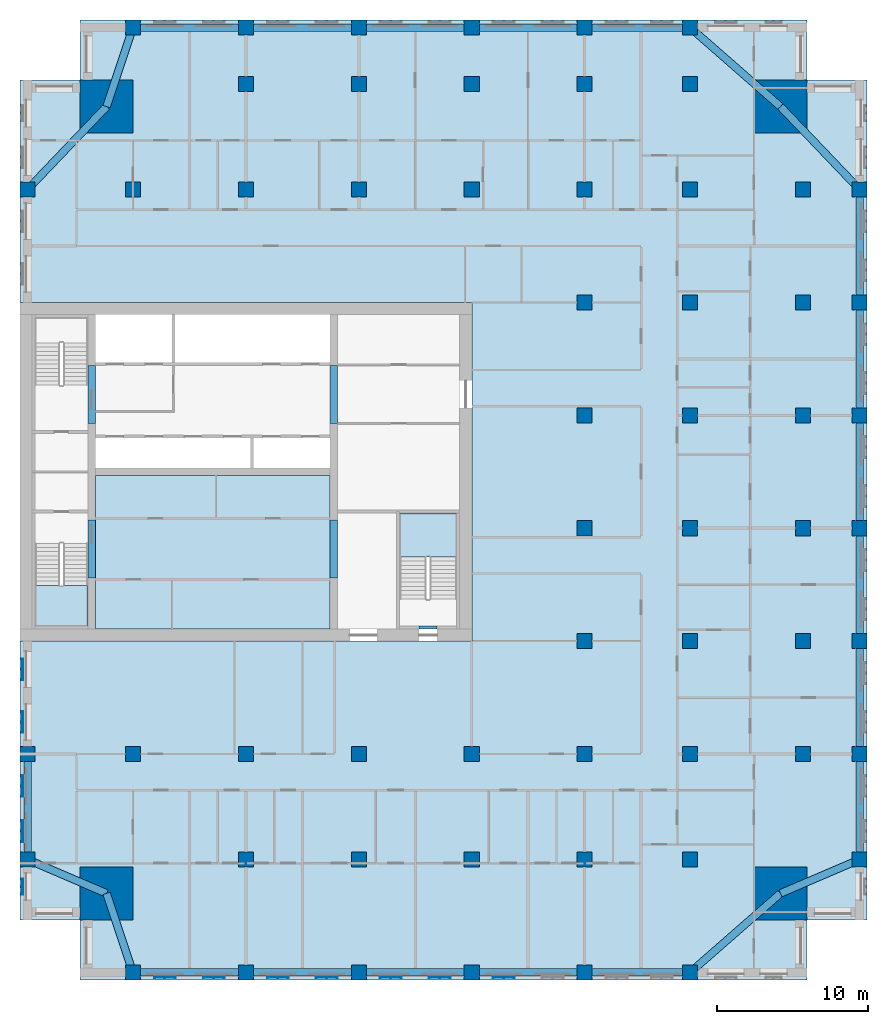
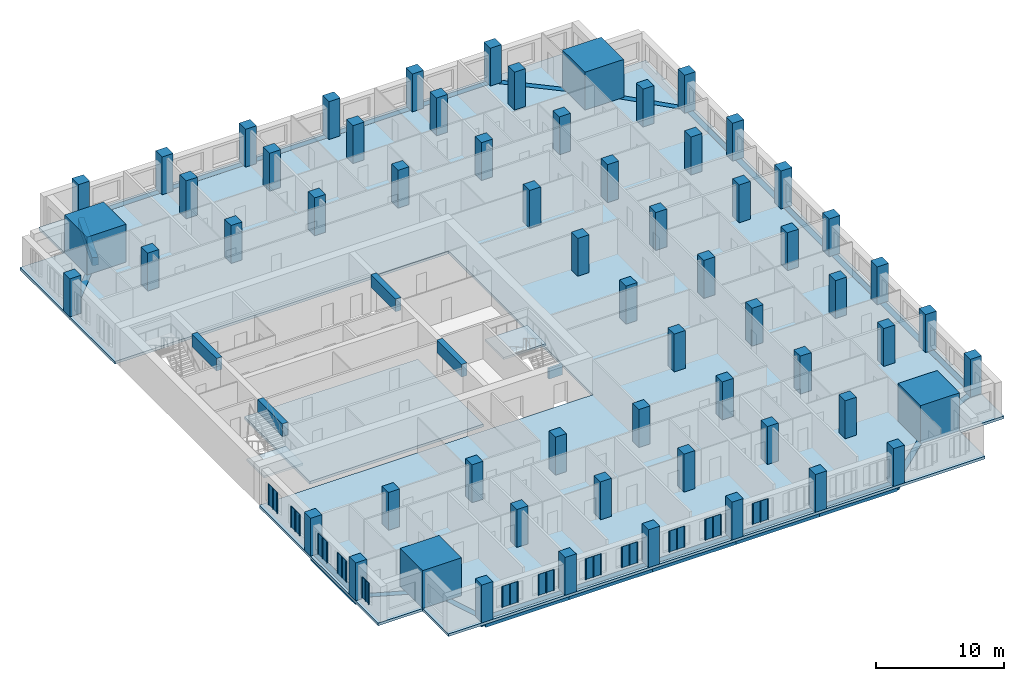
# One storey, part 1 of 14: 62 columns, 30 beams, 12 plates, 4 slabs, 2 elements without a shape of their own.
"""IFC4 building model written with IfcOpenShell, lengths in metres."""

from ifc_helpers import new_model, si_unit, direction, frame, origin, origin_2d, place, context, subcontext, project, spatial, polyline, rectangle, outline, extrude, material, layer, layer_set, material_profile, profile_set, type_object, element, aggregate, save


model = new_model("IFC4")

# Units and contexts
model_context = context("Model", 3, precision=1e-05, world=origin(), true_north=direction((0.0, 1.0)))
body_context = subcontext(model_context, "Body", "Model", "MODEL_VIEW")
ifc_project = project(units=[si_unit("LENGTHUNIT", "METRE"), si_unit("AREAUNIT", "SQUARE_METRE"), si_unit("VOLUMEUNIT", "CUBIC_METRE"), si_unit("PLANEANGLEUNIT", "RADIAN"), si_unit("MASSUNIT", "GRAM", prefix="KILO")], contexts=[model_context])

# Site, building, storey
site_placement = place(None, origin())
site = spatial("IfcSite", under=ifc_project, at=site_placement, CompositionType="ELEMENT")
building_placement = place(site_placement, origin())
building = spatial("IfcBuilding", under=site, at=building_placement, Name="Tamorin Gate", CompositionType="ELEMENT")
storey_placement = place(building_placement, frame((0.0, 0.0, 155.39990234375)))
storey = spatial("IfcBuildingStorey", under=building, at=storey_placement, Name="L38", CompositionType="ELEMENT", Elevation=155.39990234375)

# Columns
ifc_material_1 = material(Name="Concrete C70/85", Category="concrete")
ifc_material_profile_1 = material_profile(ifc_material_1, rectangle(XDim=1.0, YDim=1.0, at=origin_2d()), Name="RC 1000x1000")
ifc_profile_set_1 = profile_set([ifc_material_profile_1], Name="Concrete C70/85")
column_type_1 = type_object("IfcColumnType", Name="RC column 1000x1000 C70/85", PredefinedType="COLUMN", material=ifc_profile_set_1)
for number, where, z_axis, x_axis, name in (
    (1, (85.75, 45.5, 0.0), (0.0, 0.0, 1.0), (1.0, 0.0, 0.0), "Ring column L38"),
    (2, (85.75, 52.5, 0.0), (0.0, 0.0, 1.0), (1.0, 0.0, 0.0), "Ring column L38"),
    (3, (85.75, 60.0, 0.0), (0.0, 0.0, 1.0), (1.0, 0.0, 0.0), "Ring column L38"),
    (4, (85.75, 67.5, 0.0), (0.0, 0.0, 1.0), (1.0, 0.0, 0.0), "Ring column L38"),
    (5, (85.75, 75.0, 0.0), (0.0, 0.0, 1.0), (1.0, 0.0, 0.0), "Ring column L38"),
    (6, (85.75, 82.5, 0.0), (0.0, 0.0, 1.0), (1.0, 0.0, 0.0), "Ring column L38"),
    (7, (85.75, 90.0, 0.0), (0.0, 0.0, 1.0), (1.0, 0.0, 0.0), "Ring column L38"),
    (8, (37.5, 100.75, 0.0), (0.0, 0.0, 1.0), (1.0, 0.0, 0.0), "Ring column L38"),
    (9, (45.0, 100.75, 0.0), (0.0, 0.0, 1.0), (1.0, 0.0, 0.0), "Ring column L38"),
    (10, (52.5, 100.75, 0.0), (0.0, 0.0, 1.0), (1.0, 0.0, 0.0), "Ring column L38"),
    (11, (60.0, 100.75, 0.0), (0.0, 0.0, 1.0), (1.0, 0.0, 0.0), "Ring column L38"),
    (12, (67.5, 100.75, 0.0), (0.0, 0.0, 1.0), (1.0, 0.0, 0.0), "Ring column L38"),
    (13, (74.5, 100.75, 0.0), (0.0, 0.0, 1.0), (1.0, 0.0, 0.0), "Ring column L38"),
    (14, (30.5, 45.5, 0.0), (0.0, 0.0, 1.0), (1.0, 0.0, 0.0), "Ring column L38"),
    (15, (30.5, 52.5, 0.0), (0.0, 0.0, 1.0), (1.0, 0.0, 0.0), "Ring column L38"),
    (16, (30.5, 90.0, 0.0), (0.0, 0.0, 1.0), (1.0, 0.0, 0.0), "Ring column L38"),
    (17, (37.5, 38.0, 0.0), (0.0, 0.0, 1.0), (1.0, 0.0, 0.0), "Ring column L38"),
    (18, (37.5, 52.5, 0.0), (0.0, 0.0, 1.0), (1.0, 0.0, 0.0), "Interior column L38"),
    (19, (37.5, 90.0, 0.0), (0.0, 0.0, 1.0), (1.0, 0.0, 0.0), "Interior column L38"),
    (20, (45.0, 38.0, 0.0), (0.0, 0.0, 1.0), (1.0, 0.0, 0.0), "Ring column L38"),
    (21, (45.0, 45.5, 0.0), (0.0, 0.0, 1.0), (1.0, 0.0, 0.0), "Interior column L38"),
    (22, (45.0, 52.5, 0.0), (0.0, 0.0, 1.0), (1.0, 0.0, 0.0), "Interior column L38"),
    (23, (45.0, 90.0, 0.0), (0.0, 0.0, 1.0), (1.0, 0.0, 0.0), "Interior column L38"),
    (24, (45.0, 97.0, 0.0), (0.0, 0.0, 1.0), (1.0, 0.0, 0.0), "Interior column L38"),
    (25, (52.5, 38.0, 0.0), (0.0, 0.0, 1.0), (1.0, 0.0, 0.0), "Ring column L38"),
    (26, (52.5, 45.5, 0.0), (0.0, 0.0, 1.0), (1.0, 0.0, 0.0), "Interior column L38"),
    (27, (52.5, 52.5, 0.0), (0.0, 0.0, 1.0), (1.0, 0.0, 0.0), "Interior column L38"),
    (28, (52.5, 90.0, 0.0), (0.0, 0.0, 1.0), (1.0, 0.0, 0.0), "Interior column L38"),
    (29, (52.5, 97.0, 0.0), (0.0, 0.0, 1.0), (1.0, 0.0, 0.0), "Interior column L38"),
    (30, (60.0, 38.0, 0.0), (0.0, 0.0, 1.0), (1.0, 0.0, 0.0), "Ring column L38"),
    (31, (60.0, 45.5, 0.0), (0.0, 0.0, 1.0), (1.0, 0.0, 0.0), "Interior column L38"),
    (32, (60.0, 52.5, 0.0), (0.0, 0.0, 1.0), (1.0, 0.0, 0.0), "Interior column L38"),
    (33, (60.0, 90.0, 0.0), (0.0, 0.0, 1.0), (1.0, 0.0, 0.0), "Interior column L38"),
    (34, (60.0, 97.0, 0.0), (0.0, 0.0, 1.0), (1.0, 0.0, 0.0), "Interior column L38"),
    (35, (67.5, 38.0, 0.0), (0.0, 0.0, 1.0), (1.0, 0.0, 0.0), "Ring column L38"),
    (36, (67.5, 45.5, 0.0), (0.0, 0.0, 1.0), (1.0, 0.0, 0.0), "Interior column L38"),
    (37, (67.5, 52.5, 0.0), (0.0, 0.0, 1.0), (1.0, 0.0, 0.0), "Interior column L38"),
    (38, (67.5, 60.0, 0.0), (0.0, 0.0, 1.0), (1.0, 0.0, 0.0), "Interior column L38"),
    (39, (67.5, 67.5, 0.0), (0.0, 0.0, 1.0), (1.0, 0.0, 0.0), "Interior column L38"),
    (40, (67.5, 75.0, 0.0), (0.0, 0.0, 1.0), (1.0, 0.0, 0.0), "Interior column L38"),
    (41, (67.5, 82.5, 0.0), (0.0, 0.0, 1.0), (1.0, 0.0, 0.0), "Interior column L38"),
    (42, (67.5, 90.0, 0.0), (0.0, 0.0, 1.0), (1.0, 0.0, 0.0), "Interior column L38"),
    (43, (67.5, 97.0, 0.0), (0.0, 0.0, 1.0), (1.0, 0.0, 0.0), "Interior column L38"),
    (44, (74.5, 38.0, 0.0), (0.0, 0.0, 1.0), (1.0, 0.0, 0.0), "Ring column L38"),
    (45, (74.5, 45.5, 0.0), (0.0, 0.0, 1.0), (1.0, 0.0, 0.0), "Interior column L38"),
    (46, (74.5, 52.5, 0.0), (0.0, 0.0, 1.0), (1.0, 0.0, 0.0), "Interior column L38"),
    (47, (74.5, 60.0, 0.0), (0.0, 0.0, 1.0), (1.0, 0.0, 0.0), "Interior column L38"),
    (48, (74.5, 67.5, 0.0), (0.0, 0.0, 1.0), (1.0, 0.0, 0.0), "Interior column L38"),
    (49, (74.5, 75.0, 0.0), (0.0, 0.0, 1.0), (1.0, 0.0, 0.0), "Interior column L38"),
    (50, (74.5, 82.5, 0.0), (0.0, 0.0, 1.0), (1.0, 0.0, 0.0), "Interior column L38"),
    (51, (74.5, 90.0, 0.0), (0.0, 0.0, 1.0), (1.0, 0.0, 0.0), "Interior column L38"),
    (52, (74.5, 97.0, 0.0), (0.0, 0.0, 1.0), (1.0, 0.0, 0.0), "Interior column L38"),
    (53, (82.0, 52.5, 0.0), (0.0, 0.0, 1.0), (1.0, 0.0, 0.0), "Interior column L38"),
    (54, (82.0, 60.0, 0.0), (0.0, 0.0, 1.0), (1.0, 0.0, 0.0), "Interior column L38"),
    (55, (82.0, 67.5, 0.0), (0.0, 0.0, 1.0), (1.0, 0.0, 0.0), "Interior column L38"),
    (56, (82.0, 75.0, 0.0), (0.0, 0.0, 1.0), (1.0, 0.0, 0.0), "Interior column L38"),
    (57, (82.0, 82.5, 0.0), (0.0, 0.0, 1.0), (1.0, 0.0, 0.0), "Interior column L38"),
    (58, (82.0, 90.0, 0.0), (0.0, 0.0, 1.0), (1.0, 0.0, 0.0), "Interior column L38"),
):
    element("IfcColumn", number, at=place(storey_placement, frame(where, z_axis=z_axis, x_axis=x_axis)), inside=storey, type_object=column_type_1, Name=name, PredefinedType="COLUMN", context=body_context, shape_type="SweptSolid", body=[
        extrude(rectangle(XDim=1.0, YDim=1.0, at=origin_2d()), origin(), (0.0, 0.0, 1.0), 3.60009765625),
    ])
ifc_material_profile_2 = material_profile(ifc_material_1, rectangle(XDim=3.5, YDim=3.5, at=origin_2d()), Name="RC 3500x3500")
ifc_profile_set_2 = profile_set([ifc_material_profile_2], Name="Concrete C70/85")
column_type_2 = type_object("IfcColumnType", Name="RC column 3500x3500 C70/85", PredefinedType="COLUMN", material=ifc_profile_set_2)
for number, where, z_axis, x_axis, name in (
    (59, (35.75, 43.25, 0.0), (0.0, 0.0, 1.0), (1.0, 0.0, 0.0), "Mega column SW L38"),
    (60, (80.5, 43.25, 0.0), (0.0, 0.0, 1.0), (1.0, 0.0, 0.0), "Mega column SE L38"),
    (61, (35.75, 95.5, 0.0), (0.0, 0.0, 1.0), (1.0, 0.0, 0.0), "Mega column NW L38"),
    (62, (80.5, 95.5, 0.0), (0.0, 0.0, 1.0), (1.0, 0.0, 0.0), "Mega column NE L38"),
):
    element("IfcColumn", number, at=place(storey_placement, frame(where, z_axis=z_axis, x_axis=x_axis)), inside=storey, type_object=column_type_2, Name=name, PredefinedType="COLUMN", context=body_context, shape_type="SweptSolid", body=[
        extrude(rectangle(XDim=3.5, YDim=3.5, at=origin_2d()), origin(), (0.0, 0.0, 1.0), 3.60009765625),
    ])

# Beams
ifc_material_2 = material(Name="Concrete C60/75", Category="concrete")
ifc_material_profile_3 = material_profile(ifc_material_2, rectangle(XDim=0.5, YDim=1.199951171875, at=origin_2d()), Name="RC 500x1200")
ifc_profile_set_3 = profile_set([ifc_material_profile_3], Name="Concrete C60/75")
beam_type_1 = type_object("IfcBeamType", Name="RC coupling beam 500x1200 C60/75", PredefinedType="BEAM", material=ifc_profile_set_3)
for number, where, z_axis, x_axis, name in (
    (63, (34.75, 64.199951171875, 3.0), (0.0, 1.0, 0.0), (-1.0, 0.0, 0.0), "Coupling beam L38"),
    (64, (34.75, 74.449951171875, 3.0), (0.0, 1.0, 0.0), (-1.0, 0.0, 0.0), "Coupling beam L38"),
    (65, (50.85009765625, 64.199951171875, 3.0), (0.0, 1.0, 0.0), (-1.0, 0.0, 0.0), "Coupling beam L38"),
    (66, (50.85009765625, 74.449951171875, 3.0), (0.0, 1.0, 0.0), (-1.0, 0.0, 0.0), "Coupling beam L38"),
):
    element("IfcBeam", number, at=place(storey_placement, frame(where, z_axis=z_axis, x_axis=x_axis)), inside=storey, type_object=beam_type_1, Name=name, PredefinedType="BEAM", context=body_context, shape_type="SweptSolid", body=[
        extrude(rectangle(XDim=0.5, YDim=1.199951171875, at=origin_2d()), origin(), (0.0, 0.0, 1.0), 3.85009765625),
    ])
ifc_material_3 = material(Name="Concrete C50/60", Category="concrete")
ifc_material_profile_4 = material_profile(ifc_material_3, rectangle(XDim=0.5, YDim=0.75, at=origin_2d()), Name="RC 500x750")
ifc_profile_set_4 = profile_set([ifc_material_profile_4], Name="Concrete C50/60")
beam_type_2 = type_object("IfcBeamType", Name="RC spandrel 500x750 C50/60", PredefinedType="BEAM", material=ifc_profile_set_4)
for number, where, z_axis, x_axis, name in (
    (67, (37.5, 38.0, -0.375), (1.0, 0.0, 0.0), (0.0, 1.0, 0.0), "Spandrel beam L38"),
    (68, (45.0, 38.0, -0.375), (1.0, 0.0, 0.0), (0.0, 1.0, 0.0), "Spandrel beam L38"),
    (69, (52.5, 38.0, -0.375), (1.0, 0.0, 0.0), (0.0, 1.0, 0.0), "Spandrel beam L38"),
    (70, (60.0, 38.0, -0.375), (1.0, 0.0, 0.0), (0.0, 1.0, 0.0), "Spandrel beam L38"),
):
    element("IfcBeam", number, at=place(storey_placement, frame(where, z_axis=z_axis, x_axis=x_axis)), inside=storey, type_object=beam_type_2, Name=name, PredefinedType="BEAM", context=body_context, shape_type="SweptSolid", body=[
        extrude(rectangle(XDim=0.5, YDim=0.75, at=origin_2d()), origin(), (0.0, 0.0, 1.0), 7.5),
    ])
for number, where, z_axis, x_axis, name in (
    (71, (67.5, 38.0, -0.375), (1.0, 0.0, 0.0), (0.0, 1.0, 0.0), "Spandrel beam L38"),
    (72, (85.75, 45.5, -0.375), (0.0, 1.0, 0.0), (-1.0, 0.0, 0.0), "Spandrel beam L38"),
):
    element("IfcBeam", number, at=place(storey_placement, frame(where, z_axis=z_axis, x_axis=x_axis)), inside=storey, type_object=beam_type_2, Name=name, PredefinedType="BEAM", context=body_context, shape_type="SweptSolid", body=[
        extrude(rectangle(XDim=0.5, YDim=0.75, at=origin_2d()), origin(), (0.0, 0.0, 1.0), 7.0),
    ])
for number, where, z_axis, x_axis, name in (
    (73, (85.75, 52.5, -0.375), (0.0, 1.0, 0.0), (-1.0, 0.0, 0.0), "Spandrel beam L38"),
    (74, (85.75, 60.0, -0.375), (0.0, 1.0, 0.0), (-1.0, 0.0, 0.0), "Spandrel beam L38"),
    (75, (85.75, 67.5, -0.375), (0.0, 1.0, 0.0), (-1.0, 0.0, 0.0), "Spandrel beam L38"),
    (76, (85.75, 75.0, -0.375), (0.0, 1.0, 0.0), (-1.0, 0.0, 0.0), "Spandrel beam L38"),
    (77, (85.75, 82.5, -0.375), (0.0, 1.0, 0.0), (-1.0, 0.0, 0.0), "Spandrel beam L38"),
):
    element("IfcBeam", number, at=place(storey_placement, frame(where, z_axis=z_axis, x_axis=x_axis)), inside=storey, type_object=beam_type_2, Name=name, PredefinedType="BEAM", context=body_context, shape_type="SweptSolid", body=[
        extrude(rectangle(XDim=0.5, YDim=0.75, at=origin_2d()), origin(), (0.0, 0.0, 1.0), 7.5),
    ])
beam_1_placement = place(storey_placement, frame((74.5, 100.75, -0.375), z_axis=(-1.0, 0.0, 0.0), x_axis=(0.0, -1.0, 0.0)))
element("IfcBeam", 78, at=beam_1_placement, inside=storey, type_object=beam_type_2, Name="Spandrel beam L38", PredefinedType="BEAM", context=body_context, shape_type="SweptSolid", body=[
    extrude(rectangle(XDim=0.5, YDim=0.75, at=origin_2d()), origin(), (0.0, 0.0, 1.0), 7.0),
])
for number, where, z_axis, x_axis, name in (
    (79, (67.5, 100.75, -0.375), (-1.0, 0.0, 0.0), (0.0, -1.0, 0.0), "Spandrel beam L38"),
    (80, (60.0, 100.75, -0.375), (-1.0, 0.0, 0.0), (0.0, -1.0, 0.0), "Spandrel beam L38"),
    (81, (52.5, 100.75, -0.375), (-1.0, 0.0, 0.0), (0.0, -1.0, 0.0), "Spandrel beam L38"),
    (82, (45.0, 100.75, -0.375), (-1.0, 0.0, 0.0), (0.0, -1.0, 0.0), "Spandrel beam L38"),
):
    element("IfcBeam", number, at=place(storey_placement, frame(where, z_axis=z_axis, x_axis=x_axis)), inside=storey, type_object=beam_type_2, Name=name, PredefinedType="BEAM", context=body_context, shape_type="SweptSolid", body=[
        extrude(rectangle(XDim=0.5, YDim=0.75, at=origin_2d()), origin(), (0.0, 0.0, 1.0), 7.5),
    ])
beam_2_placement = place(storey_placement, frame((30.5, 52.5, -0.375), z_axis=(0.0, -1.0, 0.0), x_axis=(1.0, 0.0, 0.0)))
element("IfcBeam", 83, at=beam_2_placement, inside=storey, type_object=beam_type_2, Name="Spandrel beam L38", PredefinedType="BEAM", context=body_context, shape_type="SweptSolid", body=[
    extrude(rectangle(XDim=0.5, YDim=0.75, at=origin_2d()), origin(), (0.0, 0.0, 1.0), 7.0),
])
beam_3_placement = place(storey_placement, frame((35.75, 43.25, -0.375), z_axis=(0.316227766017, -0.948683298051, 0.0), x_axis=(0.948683298051, 0.316227766017, 0.0)))
element("IfcBeam", 84, at=beam_3_placement, inside=storey, type_object=beam_type_2, Name="Corner tie beam L38", PredefinedType="BEAM", context=body_context, shape_type="SweptSolid", body=[
    extrude(rectangle(XDim=0.5, YDim=0.75, at=origin_2d()), origin(), (0.0, 0.0, 1.0), 5.533935546875),
])
for number, where, z_axis, x_axis, name in (
    (85, (35.75, 43.25, -0.375), (-0.919145030018, 0.393919298579, 0.0), (-0.393919298579, -0.919145030018, 0.0), "Corner tie beam L38"),
    (86, (80.5, 43.25, -0.375), (0.919145030018, 0.393919298579, 0.0), (-0.393919298579, 0.919145030018, 0.0), "Corner tie beam L38"),
):
    element("IfcBeam", number, at=place(storey_placement, frame(where, z_axis=z_axis, x_axis=x_axis)), inside=storey, type_object=beam_type_2, Name=name, PredefinedType="BEAM", context=body_context, shape_type="SweptSolid", body=[
        extrude(rectangle(XDim=0.5, YDim=0.75, at=origin_2d()), origin(), (0.0, 0.0, 1.0), 5.7119140625),
    ])
beam_4_placement = place(storey_placement, frame((80.5, 43.25, -0.375), z_axis=(-0.752576694707, -0.658504607869, 0.0), x_axis=(0.658504607869, -0.752576694707, 0.0)))
element("IfcBeam", 87, at=beam_4_placement, inside=storey, type_object=beam_type_2, Name="Corner tie beam L38", PredefinedType="BEAM", context=body_context, shape_type="SweptSolid", body=[
    extrude(rectangle(XDim=0.5, YDim=0.75, at=origin_2d()), origin(), (0.0, 0.0, 1.0), 7.97265625),
])
beam_5_placement = place(storey_placement, frame((35.75, 95.5, -0.375), z_axis=(0.316227766017, 0.948683298051, 0.0), x_axis=(-0.948683298051, 0.316227766017, 0.0)))
element("IfcBeam", 88, at=beam_5_placement, inside=storey, type_object=beam_type_2, Name="Corner tie beam L38", PredefinedType="BEAM", context=body_context, shape_type="SweptSolid", body=[
    extrude(rectangle(XDim=0.5, YDim=0.75, at=origin_2d()), origin(), (0.0, 0.0, 1.0), 5.533935546875),
])
for number, where, z_axis, x_axis, name in (
    (89, (35.75, 95.5, -0.375), (-0.690475746683, -0.723355544144, 0.0), (0.723355544144, -0.690475746683, 0.0), "Corner tie beam L38"),
    (90, (80.5, 95.5, -0.375), (0.690475746683, -0.723355544144, 0.0), (0.723355544144, 0.690475746683, 0.0), "Corner tie beam L38"),
):
    element("IfcBeam", number, at=place(storey_placement, frame(where, z_axis=z_axis, x_axis=x_axis)), inside=storey, type_object=beam_type_2, Name=name, PredefinedType="BEAM", context=body_context, shape_type="SweptSolid", body=[
        extrude(rectangle(XDim=0.5, YDim=0.75, at=origin_2d()), origin(), (0.0, 0.0, 1.0), 7.603515625),
    ])
beam_6_placement = place(storey_placement, frame((80.5, 95.5, -0.375), z_axis=(-0.752576694707, 0.658504607869, 0.0), x_axis=(-0.658504607869, -0.752576694707, 0.0)))
element("IfcBeam", 91, at=beam_6_placement, inside=storey, type_object=beam_type_2, Name="Corner tie beam L38", PredefinedType="BEAM", context=body_context, shape_type="SweptSolid", body=[
    extrude(rectangle(XDim=0.5, YDim=0.75, at=origin_2d()), origin(), (0.0, 0.0, 1.0), 7.97265625),
])
ifc_material_profile_5 = material_profile(ifc_material_2, rectangle(XDim=0.199951171875, YDim=1.0, at=origin_2d()))
ifc_profile_set_5 = profile_set([ifc_material_profile_5], Name="Concrete C60/75")
beam_type_3 = type_object("IfcBeamType", Name="Stair lintel 200x1000 C60/75", PredefinedType="BEAM", material=ifc_profile_set_5)
beam_7_placement = place(storey_placement, frame((56.5, 60.89990234375, 2.7001953125), z_axis=(1.0, 0.0, 0.0), x_axis=(0.0, 1.0, 0.0)))
element("IfcBeam", 92, at=beam_7_placement, inside=storey, type_object=beam_type_3, Name="Stair lintel", PredefinedType="BEAM", context=body_context, shape_type="SweptSolid", body=[
    extrude(rectangle(XDim=0.199951171875, YDim=1.0, at=origin_2d()), origin(), (0.0, 0.0, 1.0), 1.199951171875),
])

# Slab
ifc_material_4 = material(Name="Concrete C40/50", Category="concrete")
ifc_layer_1 = layer(ifc_material_4, 0.25)
ifc_layer_set_1 = layer_set([ifc_layer_1], Name="Core floor slab 250 C40/50")
slab_type_1 = type_object("IfcSlabType", Name="Core floor slab 250 C40/50", PredefinedType="FLOOR", material=ifc_layer_set_1)
slab_1_placement = place(storey_placement, frame((0.0, 0.0, -0.25)))
element("IfcSlab", 93, at=slab_1_placement, inside=storey, type_object=slab_type_1, Name="Core floor L38", PredefinedType="FLOOR", context=body_context, shape_type="SweptSolid", body=[
    extrude(outline(polyline([(50.60009765625, 71.0), (50.60009765625, 60.800048828125), (35.0, 60.800048828125), (35.0, 71.0), (50.60009765625, 71.0)])), origin(), (0.0, 0.0, 1.0), 0.25),
])

# Stair, slab
stair_type = type_object("IfcStairType", Name="Exit stair", PredefinedType="HALF_TURN_STAIR", material=ifc_material_4)
stair_1_placement = place(storey_placement, origin())
stair_1 = element("IfcStair", 94, at=stair_1_placement, inside=storey, type_object=stair_type, Name="L38 stair ST1", PredefinedType="HALF_TURN_STAIR")
ifc_layer_2 = layer(ifc_material_4, 0.199951171875)
ifc_layer_set_2 = layer_set([ifc_layer_2], Name="Exit stair landing 200")
slab_type_2 = type_object("IfcSlabType", Name="Exit stair landing 200", PredefinedType="LANDING", material=ifc_layer_set_2)
slab_2_placement = place(storey_placement, frame((0.0, 0.0, 1.60009765625)))
slab_2 = element("IfcSlab", 95, at=slab_2_placement, type_object=slab_type_2, Name="ST1 landing 1", PredefinedType="LANDING", context=body_context, shape_type="SweptSolid", body=[
    extrude(outline(polyline([(31.0, 63.699951171875), (31.0, 61.0), (34.5, 61.0), (34.5, 63.699951171875), (31.0, 63.699951171875)])), origin(), (0.0, 0.0, 1.0), 0.199951171875),
])
aggregate(stair_1, [slab_2])

stair_2_placement = place(storey_placement, origin())
stair_2 = element("IfcStair", 96, at=stair_2_placement, inside=storey, type_object=stair_type, Name="L38 stair ST3", PredefinedType="HALF_TURN_STAIR")
slab_3_placement = place(storey_placement, frame((0.0, 0.0, 1.60009765625)))
slab_3 = element("IfcSlab", 97, at=slab_3_placement, type_object=slab_type_2, Name="ST3 landing 1", PredefinedType="LANDING", context=body_context, shape_type="SweptSolid", body=[
    extrude(outline(polyline([(59.0, 65.60009765625), (59.0, 68.5), (55.199951171875, 68.5), (55.199951171875, 65.60009765625), (59.0, 65.60009765625)])), origin(), (0.0, 0.0, 1.0), 0.199951171875),
])
aggregate(stair_2, [slab_3])

# Slab
ifc_layer_3 = layer(ifc_material_4, 0.25)
ifc_layer_set_3 = layer_set([ifc_layer_3], Name="Floor slab 250 C40/50")
slab_type_3 = type_object("IfcSlabType", Name="Floor slab 250 C40/50", PredefinedType="FLOOR", material=ifc_layer_set_3)
slab_4_placement = place(storey_placement, frame((0.0, 0.0, -0.25)))
element("IfcSlab", 98, at=slab_4_placement, inside=storey, type_object=slab_type_3, Name="Floor L38", PredefinedType="FLOOR", context=body_context, shape_type="SweptSolid", body=[
    extrude(outline(polyline([(30.0, 97.25), (34.0, 97.25), (34.0, 101.25), (82.25, 101.25), (82.25, 97.25), (86.25, 97.25), (86.25, 41.5), (82.25, 41.5), (82.25, 37.5), (34.0, 37.5), (34.0, 41.5), (30.0, 41.5), (30.0, 60.0), (60.0, 60.0), (60.0, 82.5), (30.0, 82.5), (30.0, 97.25)])), origin(), (0.0, 0.0, 1.0), 0.25),
])

# Plates
ifc_material_5 = material(Name="Perforated pale aluminium sheet", Category="aluminium")
ifc_layer_4 = layer(ifc_material_5, 0.0400390625)
ifc_layer_set_4 = layer_set([ifc_layer_4], Name="Pale metal solar screen 1080")
plate_type_1 = type_object("IfcPlateType", Name="Pale metal solar screen 1080", PredefinedType="SHEET", material=ifc_layer_set_4)
plate_1_placement = place(storey_placement, frame((0.0, 0.0, 0.710205078125)))
element("IfcPlate", 99, at=plate_1_placement, inside=storey, type_object=plate_type_1, Name="Perforated solar screen", PredefinedType="SHEET", context=body_context, shape_type="SweptSolid", body=[
    extrude(outline(polyline([(30.159912109375, 44.239990234375), (30.199951171875, 44.239990234375), (30.199951171875, 44.179931640625), (30.199951171875, 43.72998046875), (30.199951171875, 43.669921875), (30.199951171875, 43.219970703125), (30.199951171875, 43.159912109375), (30.159912109375, 43.159912109375), (30.10009765625, 43.159912109375), (30.10009765625, 43.219970703125), (30.159912109375, 43.219970703125), (30.159912109375, 43.669921875), (30.10009765625, 43.669921875), (30.10009765625, 43.72998046875), (30.159912109375, 43.72998046875), (30.159912109375, 44.179931640625), (30.10009765625, 44.179931640625), (30.10009765625, 44.239990234375), (30.159912109375, 44.239990234375)])), origin(), (0.0, 0.0, 1.0), 1.97998046875),
])
ifc_layer_5 = layer(ifc_material_5, 0.0400390625)
ifc_layer_set_5 = layer_set([ifc_layer_5], Name="Pale metal solar screen 1440")
plate_type_2 = type_object("IfcPlateType", Name="Pale metal solar screen 1440", PredefinedType="SHEET", material=ifc_layer_set_5)
plate_2_placement = place(storey_placement, frame((0.0, 0.0, 0.710205078125)))
element("IfcPlate", 100, at=plate_2_placement, inside=storey, type_object=plate_type_2, Name="Perforated solar screen", PredefinedType="SHEET", context=body_context, shape_type="SweptSolid", body=[
    extrude(outline(polyline([(38.905029296875, 37.659912109375), (38.905029296875, 37.699951171875), (38.965087890625, 37.699951171875), (39.594970703125, 37.699951171875), (39.655029296875, 37.699951171875), (40.284912109375, 37.699951171875), (40.344970703125, 37.699951171875), (40.344970703125, 37.699951171875), (40.344970703125, 37.659912109375), (40.344970703125, 37.659912109375), (40.344970703125, 37.60009765625), (40.284912109375, 37.60009765625), (40.284912109375, 37.659912109375), (39.655029296875, 37.659912109375), (39.655029296875, 37.60009765625), (39.594970703125, 37.60009765625), (39.594970703125, 37.659912109375), (38.965087890625, 37.659912109375), (38.965087890625, 37.60009765625), (38.905029296875, 37.60009765625), (38.905029296875, 37.659912109375)])), origin(), (0.0, 0.0, 1.0), 1.97998046875),
])
plate_3_placement = place(storey_placement, frame((0.0, 0.0, 0.710205078125)))
element("IfcPlate", 101, at=plate_3_placement, inside=storey, type_object=plate_type_2, Name="Perforated solar screen", PredefinedType="SHEET", context=body_context, shape_type="SweptSolid", body=[
    extrude(outline(polyline([(42.155029296875, 37.659912109375), (42.155029296875, 37.699951171875), (42.215087890625, 37.699951171875), (42.844970703125, 37.699951171875), (42.905029296875, 37.699951171875), (43.534912109375, 37.699951171875), (43.594970703125, 37.699951171875), (43.594970703125, 37.659912109375), (43.594970703125, 37.60009765625), (43.534912109375, 37.60009765625), (43.534912109375, 37.659912109375), (42.905029296875, 37.659912109375), (42.905029296875, 37.60009765625), (42.844970703125, 37.60009765625), (42.844970703125, 37.659912109375), (42.215087890625, 37.659912109375), (42.215087890625, 37.60009765625), (42.155029296875, 37.60009765625), (42.155029296875, 37.659912109375)])), origin(), (0.0, 0.0, 1.0), 1.97998046875),
])
plate_4_placement = place(storey_placement, frame((0.0, 0.0, 0.710205078125)))
element("IfcPlate", 102, at=plate_4_placement, inside=storey, type_object=plate_type_2, Name="Perforated solar screen", PredefinedType="SHEET", context=body_context, shape_type="SweptSolid", body=[
    extrude(outline(polyline([(46.405029296875, 37.659912109375), (46.405029296875, 37.699951171875), (46.465087890625, 37.699951171875), (47.094970703125, 37.699951171875), (47.155029296875, 37.699951171875), (47.784912109375, 37.699951171875), (47.844970703125, 37.699951171875), (47.844970703125, 37.659912109375), (47.844970703125, 37.60009765625), (47.784912109375, 37.60009765625), (47.784912109375, 37.659912109375), (47.155029296875, 37.659912109375), (47.155029296875, 37.60009765625), (47.094970703125, 37.60009765625), (47.094970703125, 37.659912109375), (46.465087890625, 37.659912109375), (46.465087890625, 37.60009765625), (46.405029296875, 37.60009765625), (46.405029296875, 37.659912109375)])), origin(), (0.0, 0.0, 1.0), 1.97998046875),
])
plate_5_placement = place(storey_placement, frame((0.0, 0.0, 0.710205078125)))
element("IfcPlate", 103, at=plate_5_placement, inside=storey, type_object=plate_type_2, Name="Perforated solar screen", PredefinedType="SHEET", context=body_context, shape_type="SweptSolid", body=[
    extrude(outline(polyline([(49.655029296875, 37.659912109375), (49.655029296875, 37.699951171875), (49.715087890625, 37.699951171875), (50.344970703125, 37.699951171875), (50.405029296875, 37.699951171875), (51.034912109375, 37.699951171875), (51.094970703125, 37.699951171875), (51.094970703125, 37.659912109375), (51.094970703125, 37.60009765625), (51.034912109375, 37.60009765625), (51.034912109375, 37.659912109375), (50.405029296875, 37.659912109375), (50.405029296875, 37.60009765625), (50.344970703125, 37.60009765625), (50.344970703125, 37.659912109375), (49.715087890625, 37.659912109375), (49.715087890625, 37.60009765625), (49.655029296875, 37.60009765625), (49.655029296875, 37.659912109375)])), origin(), (0.0, 0.0, 1.0), 1.97998046875),
])
plate_6_placement = place(storey_placement, frame((0.0, 0.0, 0.710205078125)))
element("IfcPlate", 104, at=plate_6_placement, inside=storey, type_object=plate_type_2, Name="Perforated solar screen", PredefinedType="SHEET", context=body_context, shape_type="SweptSolid", body=[
    extrude(outline(polyline([(53.905029296875, 37.659912109375), (53.905029296875, 37.699951171875), (53.965087890625, 37.699951171875), (54.594970703125, 37.699951171875), (54.655029296875, 37.699951171875), (55.284912109375, 37.699951171875), (55.344970703125, 37.699951171875), (55.344970703125, 37.659912109375), (55.344970703125, 37.60009765625), (55.284912109375, 37.60009765625), (55.284912109375, 37.659912109375), (54.655029296875, 37.659912109375), (54.655029296875, 37.60009765625), (54.594970703125, 37.60009765625), (54.594970703125, 37.659912109375), (53.965087890625, 37.659912109375), (53.965087890625, 37.60009765625), (53.905029296875, 37.60009765625), (53.905029296875, 37.659912109375)])), origin(), (0.0, 0.0, 1.0), 1.97998046875),
])
plate_7_placement = place(storey_placement, frame((0.0, 0.0, 0.710205078125)))
element("IfcPlate", 105, at=plate_7_placement, inside=storey, type_object=plate_type_2, Name="Perforated solar screen", PredefinedType="SHEET", context=body_context, shape_type="SweptSolid", body=[
    extrude(outline(polyline([(57.155029296875, 37.659912109375), (57.155029296875, 37.699951171875), (57.215087890625, 37.699951171875), (57.844970703125, 37.699951171875), (57.905029296875, 37.699951171875), (58.534912109375, 37.699951171875), (58.594970703125, 37.699951171875), (58.594970703125, 37.659912109375), (58.594970703125, 37.60009765625), (58.534912109375, 37.60009765625), (58.534912109375, 37.659912109375), (57.905029296875, 37.659912109375), (57.905029296875, 37.60009765625), (57.844970703125, 37.60009765625), (57.844970703125, 37.659912109375), (57.215087890625, 37.659912109375), (57.215087890625, 37.60009765625), (57.155029296875, 37.60009765625), (57.155029296875, 37.659912109375)])), origin(), (0.0, 0.0, 1.0), 1.97998046875),
])
plate_8_placement = place(storey_placement, frame((0.0, 0.0, 0.710205078125)))
element("IfcPlate", 106, at=plate_8_placement, inside=storey, type_object=plate_type_2, Name="Perforated solar screen", PredefinedType="SHEET", context=body_context, shape_type="SweptSolid", body=[
    extrude(outline(polyline([(61.405029296875, 37.659912109375), (61.405029296875, 37.699951171875), (61.465087890625, 37.699951171875), (62.094970703125, 37.699951171875), (62.155029296875, 37.699951171875), (62.784912109375, 37.699951171875), (62.844970703125, 37.699951171875), (62.844970703125, 37.659912109375), (62.844970703125, 37.60009765625), (62.784912109375, 37.60009765625), (62.784912109375, 37.659912109375), (62.155029296875, 37.659912109375), (62.155029296875, 37.60009765625), (62.094970703125, 37.60009765625), (62.094970703125, 37.659912109375), (61.465087890625, 37.659912109375), (61.465087890625, 37.60009765625), (61.405029296875, 37.60009765625), (61.405029296875, 37.659912109375)])), origin(), (0.0, 0.0, 1.0), 1.97998046875),
])
plate_9_placement = place(storey_placement, frame((0.0, 0.0, 0.710205078125)))
element("IfcPlate", 107, at=plate_9_placement, inside=storey, type_object=plate_type_2, Name="Perforated solar screen", PredefinedType="SHEET", context=body_context, shape_type="SweptSolid", body=[
    extrude(outline(polyline([(30.159912109375, 55.344970703125), (30.199951171875, 55.344970703125), (30.199951171875, 55.284912109375), (30.199951171875, 54.655029296875), (30.199951171875, 54.594970703125), (30.199951171875, 53.965087890625), (30.199951171875, 53.905029296875), (30.159912109375, 53.905029296875), (30.10009765625, 53.905029296875), (30.10009765625, 53.965087890625), (30.159912109375, 53.965087890625), (30.159912109375, 54.594970703125), (30.10009765625, 54.594970703125), (30.10009765625, 54.655029296875), (30.159912109375, 54.655029296875), (30.159912109375, 55.284912109375), (30.10009765625, 55.284912109375), (30.10009765625, 55.344970703125), (30.159912109375, 55.344970703125)])), origin(), (0.0, 0.0, 1.0), 1.97998046875),
])
plate_10_placement = place(storey_placement, frame((0.0, 0.0, 0.710205078125)))
element("IfcPlate", 108, at=plate_10_placement, inside=storey, type_object=plate_type_2, Name="Perforated solar screen", PredefinedType="SHEET", context=body_context, shape_type="SweptSolid", body=[
    extrude(outline(polyline([(30.159912109375, 58.844970703125), (30.199951171875, 58.844970703125), (30.199951171875, 58.784912109375), (30.199951171875, 58.155029296875), (30.199951171875, 58.094970703125), (30.199951171875, 57.465087890625), (30.199951171875, 57.405029296875), (30.159912109375, 57.405029296875), (30.10009765625, 57.405029296875), (30.10009765625, 57.465087890625), (30.159912109375, 57.465087890625), (30.159912109375, 58.094970703125), (30.10009765625, 58.094970703125), (30.10009765625, 58.155029296875), (30.159912109375, 58.155029296875), (30.159912109375, 58.784912109375), (30.10009765625, 58.784912109375), (30.10009765625, 58.844970703125), (30.159912109375, 58.844970703125)])), origin(), (0.0, 0.0, 1.0), 1.97998046875),
])
plate_11_placement = place(storey_placement, frame((0.0, 0.0, 0.710205078125)))
element("IfcPlate", 109, at=plate_11_placement, inside=storey, type_object=plate_type_2, Name="Perforated solar screen", PredefinedType="SHEET", context=body_context, shape_type="SweptSolid", body=[
    extrude(outline(polyline([(30.159912109375, 48.094970703125), (30.199951171875, 48.094970703125), (30.199951171875, 48.034912109375), (30.199951171875, 47.405029296875), (30.199951171875, 47.344970703125), (30.199951171875, 46.715087890625), (30.199951171875, 46.655029296875), (30.159912109375, 46.655029296875), (30.10009765625, 46.655029296875), (30.10009765625, 46.715087890625), (30.159912109375, 46.715087890625), (30.159912109375, 47.344970703125), (30.10009765625, 47.344970703125), (30.10009765625, 47.405029296875), (30.159912109375, 47.405029296875), (30.159912109375, 48.034912109375), (30.10009765625, 48.034912109375), (30.10009765625, 48.094970703125), (30.159912109375, 48.094970703125)])), origin(), (0.0, 0.0, 1.0), 1.97998046875),
])
plate_12_placement = place(storey_placement, frame((0.0, 0.0, 0.710205078125)))
element("IfcPlate", 110, at=plate_12_placement, inside=storey, type_object=plate_type_2, Name="Perforated solar screen", PredefinedType="SHEET", context=body_context, shape_type="SweptSolid", body=[
    extrude(outline(polyline([(30.159912109375, 51.094970703125), (30.199951171875, 51.094970703125), (30.199951171875, 51.034912109375), (30.199951171875, 50.405029296875), (30.199951171875, 50.344970703125), (30.199951171875, 49.715087890625), (30.199951171875, 49.655029296875), (30.159912109375, 49.655029296875), (30.10009765625, 49.655029296875), (30.10009765625, 49.715087890625), (30.159912109375, 49.715087890625), (30.159912109375, 50.344970703125), (30.10009765625, 50.344970703125), (30.10009765625, 50.405029296875), (30.159912109375, 50.405029296875), (30.159912109375, 51.034912109375), (30.10009765625, 51.034912109375), (30.10009765625, 51.094970703125), (30.159912109375, 51.094970703125)])), origin(), (0.0, 0.0, 1.0), 1.97998046875),
])

save(model, "model.ifc")
